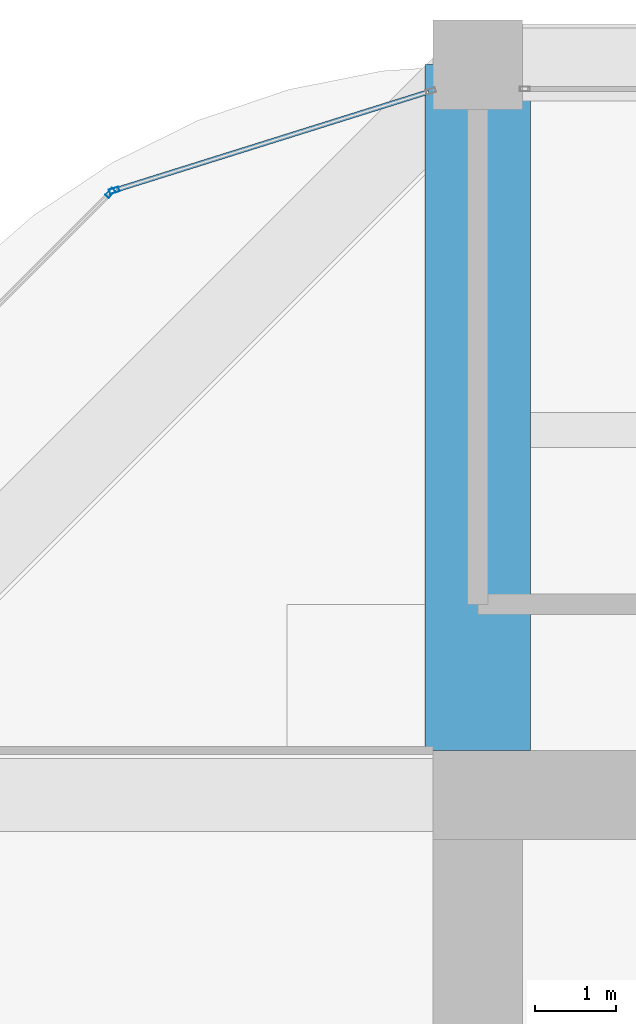
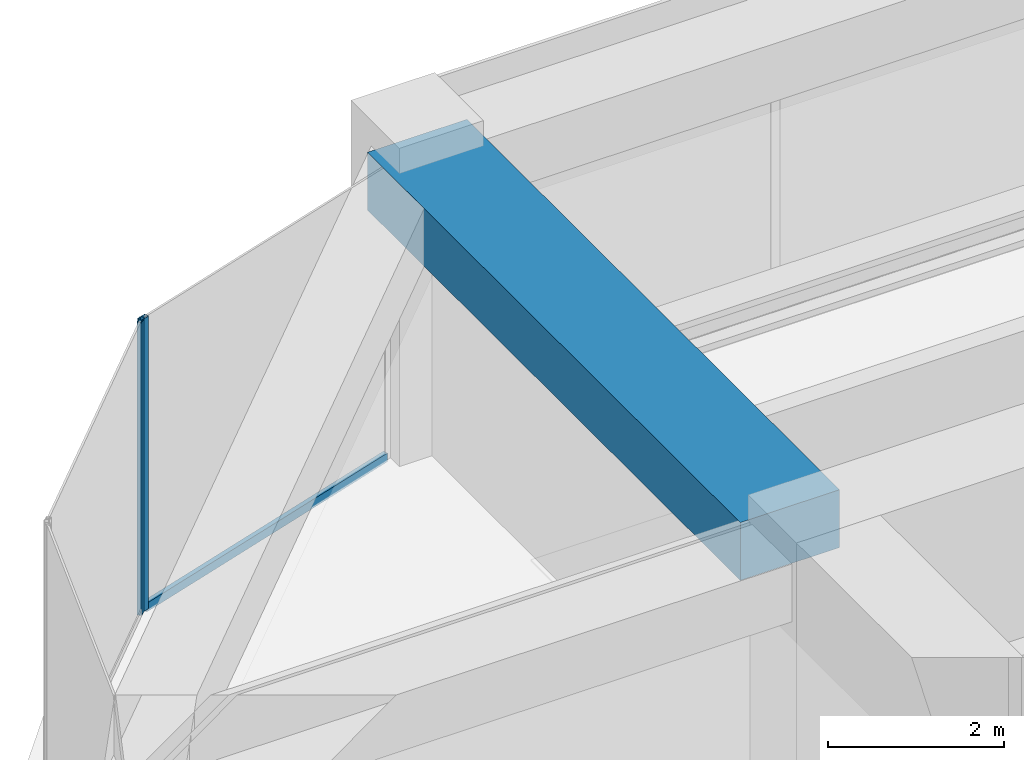
# One storey, part 30 of 44: 3 members, 1 beam, 2 elements without a shape of their own.
"""IFC4 building model written with IfcOpenShell, lengths in metres."""

from ifc_helpers import new_model, si_unit, direction, frame, origin, origin_2d, place, context, subcontext, project, spatial, rectangle, hollow_rectangle, extrude, material, material_profile, profile_set, type_object, element, aggregate, save


model = new_model("IFC4")

# Units and contexts
model_context = context("Model", 3, precision=1e-05, world=origin(), true_north=direction((0.0, 1.0)))
body_context = subcontext(model_context, "Body", "Model", "MODEL_VIEW")
ifc_project = project(units=[si_unit("LENGTHUNIT", "METRE"), si_unit("AREAUNIT", "SQUARE_METRE"), si_unit("VOLUMEUNIT", "CUBIC_METRE"), si_unit("PLANEANGLEUNIT", "RADIAN"), si_unit("MASSUNIT", "GRAM", prefix="KILO")], contexts=[model_context])

# Site, building, storey
site_placement = place(None, origin())
site = spatial("IfcSite", under=ifc_project, at=site_placement, CompositionType="ELEMENT")
building_placement = place(site_placement, origin())
building = spatial("IfcBuilding", under=site, at=building_placement, Name="Zorevar Civic Tower", CompositionType="ELEMENT")
storey_placement = place(building_placement, frame((0.0, 0.0, 307.39990234375)))
storey = spatial("IfcBuildingStorey", under=building, at=storey_placement, Name="L75", CompositionType="ELEMENT", Elevation=307.39990234375)

# Beam
ifc_material_1 = material(Name="Concrete C50/60", Category="concrete")
ifc_material_profile_1 = material_profile(ifc_material_1, rectangle(XDim=1.300048828125, YDim=0.800048828125, at=origin_2d()), Name="RC 1300x800")
ifc_profile_set_1 = profile_set([ifc_material_profile_1], Name="Concrete C50/60")
beam_type = type_object("IfcBeamType", Name="Beam RC 1300x800", PredefinedType="BEAM", material=ifc_profile_set_1)
beam_placement = place(storey_placement, frame((18.0, 36.550048828125, 3.650146484375), z_axis=(0.0, 1.0, 0.0), x_axis=(-1.0, 0.0, 0.0)))
element("IfcBeam", 1, at=beam_placement, inside=storey, type_object=beam_type, Name="Girder RF", PredefinedType="BEAM", context=body_context, shape_type="SweptSolid", body=[
    extrude(rectangle(XDim=1.300048828125, YDim=0.800048828125, at=origin_2d()), origin(), (0.0, 0.0, 1.0), 8.449951171875),
])

# Curtain wall, member
ifc_material_2 = material(Name="Dark grey solar-control glass in black aluminium frame", Category="aluminium")
curtain_wall_type = type_object("IfcCurtainWallType", Name="Curtain wall CW5 top zone", PredefinedType="NOTDEFINED", material=ifc_material_2)
curtain_wall_1_placement = place(storey_placement, origin())
curtain_wall_1 = element("IfcCurtainWall", 2, at=curtain_wall_1_placement, inside=storey, type_object=curtain_wall_type, Name="CW5 L75", PredefinedType="NOTDEFINED")
ifc_material_3 = material(Name="Aluminium, black anodised", Category="aluminium")
ifc_material_profile_2 = material_profile(ifc_material_3, hollow_rectangle(XDim=0.06005859375, YDim=0.1201171875, WallThickness=0.0029296875, at=origin_2d()), Name="AL 120x60x3")
ifc_profile_set_2 = profile_set([ifc_material_profile_2], Name="Aluminium, black anodised")
member_type_1 = type_object("IfcMemberType", Name="CW5 mullion AL 120x60x3", PredefinedType="MULLION", material=ifc_profile_set_2)
member_1_placement = place(storey_placement, frame((13.520751953125, 43.449951171875, 0.0), z_axis=(0.0, 0.0, 1.0), x_axis=(0.299317920238, -0.954153437674, 0.0)))
member_1 = element("IfcMember", 3, at=member_1_placement, type_object=member_type_1, Name="CW5 mullion 2", PredefinedType="MULLION", context=body_context, shape_type="SweptSolid", body=[
    extrude(hollow_rectangle(XDim=0.06005859375, YDim=0.1201171875, WallThickness=0.0029296875, at=origin_2d()), origin(), (0.0, 0.0, 1.0), 4.050048828125),
])

curtain_wall_2_placement = place(storey_placement, origin())
curtain_wall_2 = element("IfcCurtainWall", 4, at=curtain_wall_2_placement, inside=storey, type_object=curtain_wall_type, Name="CW5 L75", PredefinedType="NOTDEFINED")
member_2_placement = place(storey_placement, frame((13.470947265625, 43.419677734375, 0.0), z_axis=(0.0, 0.0, 1.0), x_axis=(0.707106781187, -0.707106781187, 0.0)))
member_2 = element("IfcMember", 5, at=member_2_placement, type_object=member_type_1, Name="CW5 mullion 1", PredefinedType="MULLION", context=body_context, shape_type="SweptSolid", body=[
    extrude(hollow_rectangle(XDim=0.06005859375, YDim=0.1201171875, WallThickness=0.0029296875, at=origin_2d()), origin(), (0.0, 0.0, 1.0), 4.050048828125),
])
aggregate(curtain_wall_2, [member_2])

# Member
ifc_material_4 = material(Name="Aluminium, black anodised", Category="aluminium")
ifc_material_profile_3 = material_profile(ifc_material_4, hollow_rectangle(XDim=0.06005859375, YDim=0.1201171875, WallThickness=0.0029296875, at=origin_2d()), Name="AL 120x60x3")
ifc_profile_set_3 = profile_set([ifc_material_profile_3], Name="Aluminium, black anodised")
member_type_2 = type_object("IfcMemberType", Name="CW5 transom AL 120x60x3", PredefinedType="USERDEFINED", material=ifc_profile_set_3)
member_3_placement = place(storey_placement, frame((17.392822265625, 44.66455078125, 0.030029296875), z_axis=(-0.954163457351, -0.299285978047, 0.0), x_axis=(0.299285978047, -0.954163457351, 0.0)))
member_3 = element("IfcMember", 6, at=member_3_placement, type_object=member_type_2, Name="CW5 sill transom", ObjectType="TRANSOM", PredefinedType="USERDEFINED", context=body_context, shape_type="SweptSolid", body=[
    extrude(hollow_rectangle(XDim=0.06005859375, YDim=0.1201171875, WallThickness=0.0029296875, at=origin_2d()), origin(), (0.0, 0.0, 1.0), 4.028076171875),
])

aggregate(curtain_wall_1, [member_1, member_3])

save(model, "model.ifc")
